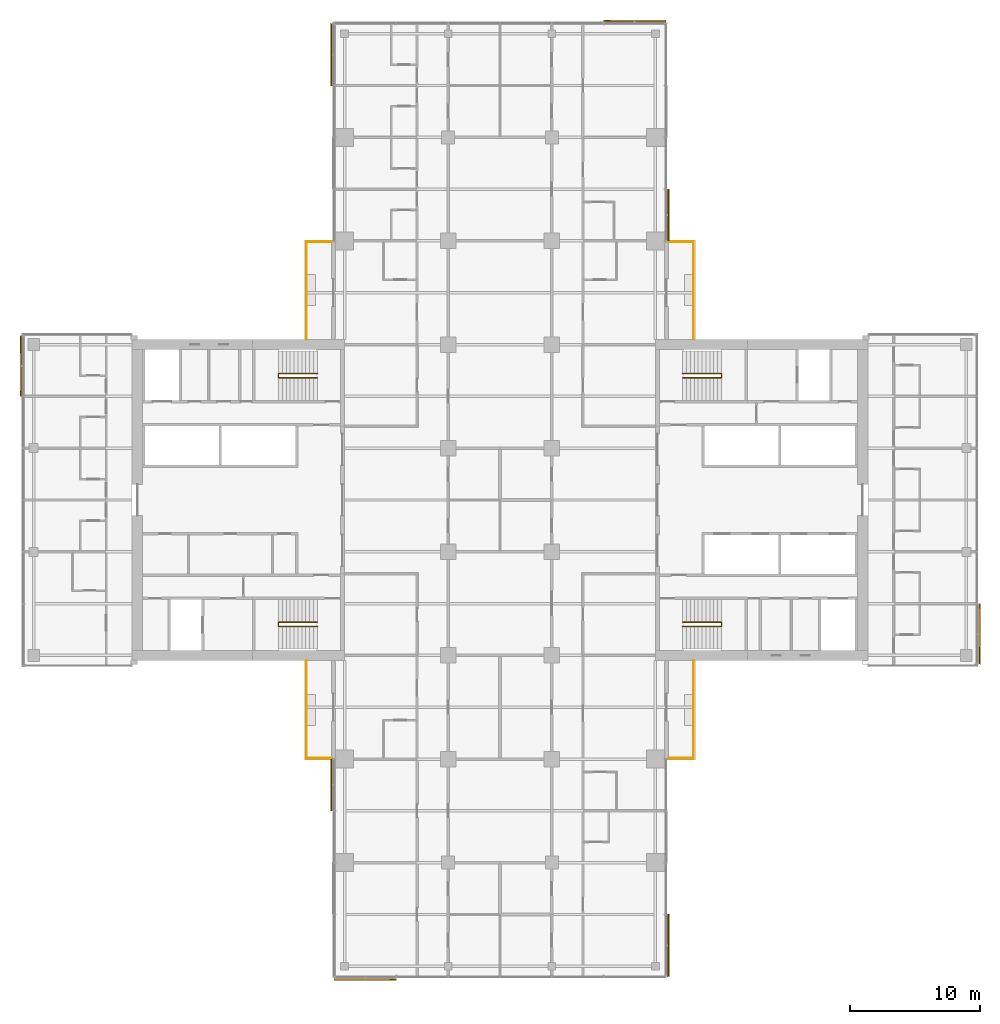
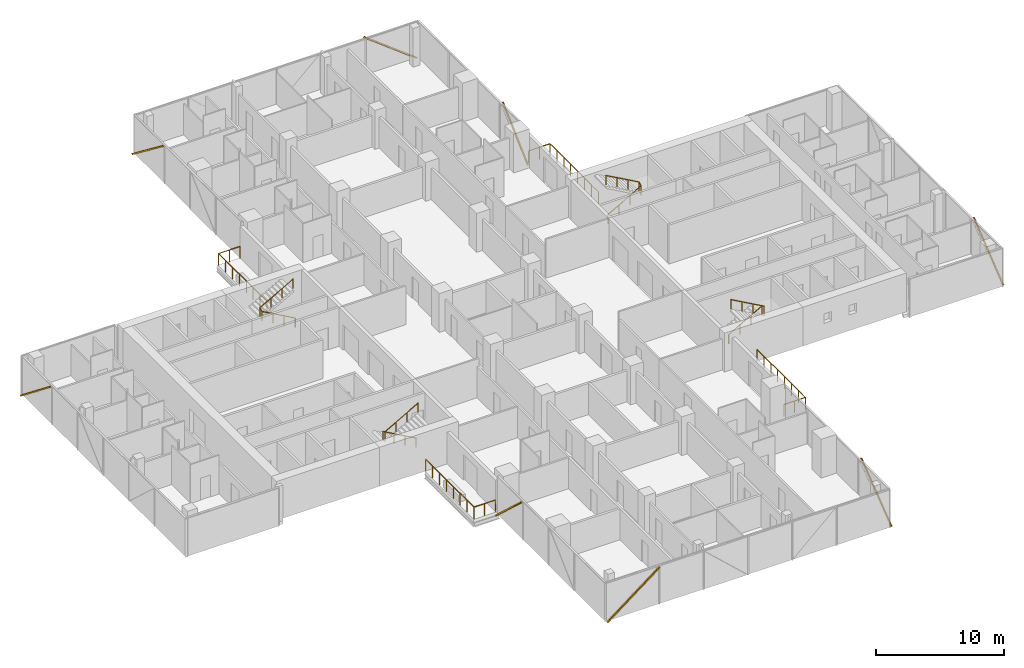
# One storey, part 27 of 27: 8 railings, 8 shading devices, 8 elements without a shape of their own.
"""IFC4 building model written with IfcOpenShell, lengths in metres."""

from ifc_helpers import new_model, si_unit, direction, frame, origin, origin_2d, place, context, subcontext, project, spatial, rectangle, circle, extrude, material, material_profile, profile_set, type_object, element, aggregate, save


model = new_model("IFC4")

# Units and contexts
model_context = context("Model", 3, precision=1e-05, world=origin(), true_north=direction((0.0, 1.0)))
body_context = subcontext(model_context, "Body", "Model", "MODEL_VIEW")
ifc_project = project(units=[si_unit("LENGTHUNIT", "METRE"), si_unit("AREAUNIT", "SQUARE_METRE"), si_unit("VOLUMEUNIT", "CUBIC_METRE"), si_unit("PLANEANGLEUNIT", "RADIAN"), si_unit("MASSUNIT", "GRAM", prefix="KILO")], contexts=[model_context])

# Site, building, storey
site_placement = place(None, origin())
site = spatial("IfcSite", under=ifc_project, at=site_placement, CompositionType="ELEMENT")
building_placement = place(site_placement, origin())
building = spatial("IfcBuilding", under=site, at=building_placement, Name="Crosswind Convention Tower", CompositionType="ELEMENT")
storey_placement = place(building_placement, frame((0.0, 0.0, 94.199951171875)))
storey = spatial("IfcBuildingStorey", under=building, at=storey_placement, Name="L18", CompositionType="ELEMENT", Elevation=94.199951171875)

# Railings
ifc_material_1 = material(Name="Steel and laminated glass balustrade", Category="steel")
railing_type_1 = type_object("IfcRailingType", Name="BALCONY BALUSTRADE 1150", PredefinedType="BALUSTRADE", material=ifc_material_1)
railing_1_placement = place(storey_placement, frame((139.93994140625, 112.39990234375, 0.0)))
element("IfcRailing", 1, at=railing_1_placement, inside=storey, type_object=railing_type_1, Name="R11 balcony balustrade L18 N-E.1-1", PredefinedType="BALUSTRADE", context=body_context, shape_type="SweptSolid", body=[
    extrude(circle(Radius=0.02392578125, at=origin_2d()), frame((0.0, 0.0, 1.1259765625), z_axis=(0.0, 1.0, 0.0), x_axis=(-1.0, 0.0, 0.0)), (0.0, 0.0, 1.0), 7.5400390625),
    extrude(circle(Radius=0.02392578125, at=origin_2d()), frame((0.0, 7.5400390625, 1.1259765625), z_axis=(-1.0, 0.0, 0.0), x_axis=(0.0, -1.0, 0.0)), (0.0, 0.0, 1.0), 1.9189453125),
    extrude(circle(Radius=0.02099609375, at=origin_2d()), origin(), (0.0, 0.0, 1.0), 1.101806640625),
    extrude(circle(Radius=0.02099609375, at=origin_2d()), frame((0.0, 1.0771484375, 0.0)), (0.0, 0.0, 1.0), 1.101806640625),
    extrude(circle(Radius=0.02099609375, at=origin_2d()), frame((0.0, 2.154296875, 0.0)), (0.0, 0.0, 1.0), 1.101806640625),
    extrude(circle(Radius=0.02099609375, at=origin_2d()), frame((0.0, 3.2314453125, 0.0)), (0.0, 0.0, 1.0), 1.101806640625),
    extrude(circle(Radius=0.02099609375, at=origin_2d()), frame((0.0, 4.30859375, 0.0)), (0.0, 0.0, 1.0), 1.101806640625),
    extrude(circle(Radius=0.02099609375, at=origin_2d()), frame((0.0, 5.3857421875, 0.0)), (0.0, 0.0, 1.0), 1.101806640625),
    extrude(circle(Radius=0.02099609375, at=origin_2d()), frame((0.0, 6.462890625, 0.0)), (0.0, 0.0, 1.0), 1.101806640625),
    extrude(circle(Radius=0.02099609375, at=origin_2d()), frame((0.0, 7.5400390625, 0.0)), (0.0, 0.0, 1.0), 1.101806640625),
    extrude(circle(Radius=0.02099609375, at=origin_2d()), frame((-0.95947265625, 7.5400390625, 0.0)), (0.0, 0.0, 1.0), 1.101806640625),
    extrude(circle(Radius=0.02099609375, at=origin_2d()), frame((-1.9189453125, 7.5400390625, 0.0)), (0.0, 0.0, 1.0), 1.101806640625),
])
railing_2_placement = place(storey_placement, frame((110.06005859375, 112.39990234375, 0.0)))
element("IfcRailing", 2, at=railing_2_placement, inside=storey, type_object=railing_type_1, Name="R11 balcony balustrade L18 N-W.1-3", PredefinedType="BALUSTRADE", context=body_context, shape_type="SweptSolid", body=[
    extrude(circle(Radius=0.02392578125, at=origin_2d()), frame((0.0, 0.0, 1.1259765625), z_axis=(0.0, 1.0, 0.0), x_axis=(-1.0, 0.0, 0.0)), (0.0, 0.0, 1.0), 7.5400390625),
    extrude(circle(Radius=0.02392578125, at=origin_2d()), frame((0.0, 7.5400390625, 1.1259765625), z_axis=(1.0, 0.0, 0.0), x_axis=(0.0, 1.0, 0.0)), (0.0, 0.0, 1.0), 1.9189453125),
    extrude(circle(Radius=0.02099609375, at=origin_2d()), origin(), (0.0, 0.0, 1.0), 1.101806640625),
    extrude(circle(Radius=0.02099609375, at=origin_2d()), frame((0.0, 1.0771484375, 0.0)), (0.0, 0.0, 1.0), 1.101806640625),
    extrude(circle(Radius=0.02099609375, at=origin_2d()), frame((0.0, 2.154296875, 0.0)), (0.0, 0.0, 1.0), 1.101806640625),
    extrude(circle(Radius=0.02099609375, at=origin_2d()), frame((0.0, 3.2314453125, 0.0)), (0.0, 0.0, 1.0), 1.101806640625),
    extrude(circle(Radius=0.02099609375, at=origin_2d()), frame((0.0, 4.30859375, 0.0)), (0.0, 0.0, 1.0), 1.101806640625),
    extrude(circle(Radius=0.02099609375, at=origin_2d()), frame((0.0, 5.3857421875, 0.0)), (0.0, 0.0, 1.0), 1.101806640625),
    extrude(circle(Radius=0.02099609375, at=origin_2d()), frame((0.0, 6.462890625, 0.0)), (0.0, 0.0, 1.0), 1.101806640625),
    extrude(circle(Radius=0.02099609375, at=origin_2d()), frame((0.0, 7.5400390625, 0.0)), (0.0, 0.0, 1.0), 1.101806640625),
    extrude(circle(Radius=0.02099609375, at=origin_2d()), frame((0.95947265625, 7.5400390625, 0.0)), (0.0, 0.0, 1.0), 1.101806640625),
    extrude(circle(Radius=0.02099609375, at=origin_2d()), frame((1.9189453125, 7.5400390625, 0.0)), (0.0, 0.0, 1.0), 1.101806640625),
])
railing_3_placement = place(storey_placement, frame((110.06005859375, 87.60009765625, 0.0)))
element("IfcRailing", 3, at=railing_3_placement, inside=storey, type_object=railing_type_1, Name="R11 balcony balustrade L18 S-W.1-1", PredefinedType="BALUSTRADE", context=body_context, shape_type="SweptSolid", body=[
    extrude(circle(Radius=0.02392578125, at=origin_2d()), frame((0.0, 0.0, 1.1259765625), z_axis=(0.0, -1.0, 0.0), x_axis=(1.0, 0.0, 0.0)), (0.0, 0.0, 1.0), 7.5400390625),
    extrude(circle(Radius=0.02392578125, at=origin_2d()), frame((0.0, -7.5400390625, 1.1259765625), z_axis=(1.0, 0.0, 0.0), x_axis=(0.0, 1.0, 0.0)), (0.0, 0.0, 1.0), 1.9189453125),
    extrude(circle(Radius=0.02099609375, at=origin_2d()), origin(), (0.0, 0.0, 1.0), 1.101806640625),
    extrude(circle(Radius=0.02099609375, at=origin_2d()), frame((0.0, -1.0771484375, 0.0)), (0.0, 0.0, 1.0), 1.101806640625),
    extrude(circle(Radius=0.02099609375, at=origin_2d()), frame((0.0, -2.154296875, 0.0)), (0.0, 0.0, 1.0), 1.101806640625),
    extrude(circle(Radius=0.02099609375, at=origin_2d()), frame((0.0, -3.2314453125, 0.0)), (0.0, 0.0, 1.0), 1.101806640625),
    extrude(circle(Radius=0.02099609375, at=origin_2d()), frame((0.0, -4.30859375, 0.0)), (0.0, 0.0, 1.0), 1.101806640625),
    extrude(circle(Radius=0.02099609375, at=origin_2d()), frame((0.0, -5.3857421875, 0.0)), (0.0, 0.0, 1.0), 1.101806640625),
    extrude(circle(Radius=0.02099609375, at=origin_2d()), frame((0.0, -6.462890625, 0.0)), (0.0, 0.0, 1.0), 1.101806640625),
    extrude(circle(Radius=0.02099609375, at=origin_2d()), frame((0.0, -7.5400390625, 0.0)), (0.0, 0.0, 1.0), 1.101806640625),
    extrude(circle(Radius=0.02099609375, at=origin_2d()), frame((0.95947265625, -7.5400390625, 0.0)), (0.0, 0.0, 1.0), 1.101806640625),
    extrude(circle(Radius=0.02099609375, at=origin_2d()), frame((1.9189453125, -7.5400390625, 0.0)), (0.0, 0.0, 1.0), 1.101806640625),
])
railing_4_placement = place(storey_placement, frame((139.93994140625, 87.60009765625, 0.0)))
element("IfcRailing", 4, at=railing_4_placement, inside=storey, type_object=railing_type_1, Name="R11 balcony balustrade L18 S-E.1-3", PredefinedType="BALUSTRADE", context=body_context, shape_type="SweptSolid", body=[
    extrude(circle(Radius=0.02392578125, at=origin_2d()), frame((0.0, 0.0, 1.1259765625), z_axis=(0.0, -1.0, 0.0), x_axis=(1.0, 0.0, 0.0)), (0.0, 0.0, 1.0), 7.5400390625),
    extrude(circle(Radius=0.02392578125, at=origin_2d()), frame((0.0, -7.5400390625, 1.1259765625), z_axis=(-1.0, 0.0, 0.0), x_axis=(0.0, -1.0, 0.0)), (0.0, 0.0, 1.0), 1.9189453125),
    extrude(circle(Radius=0.02099609375, at=origin_2d()), origin(), (0.0, 0.0, 1.0), 1.101806640625),
    extrude(circle(Radius=0.02099609375, at=origin_2d()), frame((0.0, -1.0771484375, 0.0)), (0.0, 0.0, 1.0), 1.101806640625),
    extrude(circle(Radius=0.02099609375, at=origin_2d()), frame((0.0, -2.154296875, 0.0)), (0.0, 0.0, 1.0), 1.101806640625),
    extrude(circle(Radius=0.02099609375, at=origin_2d()), frame((0.0, -3.2314453125, 0.0)), (0.0, 0.0, 1.0), 1.101806640625),
    extrude(circle(Radius=0.02099609375, at=origin_2d()), frame((0.0, -4.30859375, 0.0)), (0.0, 0.0, 1.0), 1.101806640625),
    extrude(circle(Radius=0.02099609375, at=origin_2d()), frame((0.0, -5.3857421875, 0.0)), (0.0, 0.0, 1.0), 1.101806640625),
    extrude(circle(Radius=0.02099609375, at=origin_2d()), frame((0.0, -6.462890625, 0.0)), (0.0, 0.0, 1.0), 1.101806640625),
    extrude(circle(Radius=0.02099609375, at=origin_2d()), frame((0.0, -7.5400390625, 0.0)), (0.0, 0.0, 1.0), 1.101806640625),
    extrude(circle(Radius=0.02099609375, at=origin_2d()), frame((-0.95947265625, -7.5400390625, 0.0)), (0.0, 0.0, 1.0), 1.101806640625),
    extrude(circle(Radius=0.02099609375, at=origin_2d()), frame((-1.9189453125, -7.5400390625, 0.0)), (0.0, 0.0, 1.0), 1.101806640625),
])
ifc_material_2 = material(Name="Stainless steel", Category="steel")
railing_type_2 = type_object("IfcRailingType", Name="Stair handrail 900", PredefinedType="HANDRAIL", material=ifc_material_2)
railing_5_placement = place(storey_placement, frame((139.10009765625, 109.43994140625, 0.168212890625)))
element("IfcRailing", 5, at=railing_5_placement, inside=storey, type_object=railing_type_2, Name="Stair ST1 handrail L18", PredefinedType="HANDRAIL", context=body_context, shape_type="SweptSolid", body=[
    extrude(circle(Radius=0.02392578125, at=origin_2d()), frame((0.0, 0.0, 0.8759765625), z_axis=(0.872272294576, 0.0, 0.489020494575), x_axis=(0.0, 1.0, 0.0)), (0.0, 0.0, 1.0), 3.439208984375),
    extrude(circle(Radius=0.02392578125, at=origin_2d()), frame((3.0, 0.0, 2.5576171875), z_axis=(0.0, 0.885196349292, 0.465217608438), x_axis=(-1.0, 0.0, 0.0)), (0.0, 0.0, 1.0), 0.361572265625),
    extrude(circle(Radius=0.02392578125, at=origin_2d()), frame((3.0, 0.320068359375, 2.72607421875), z_axis=(-0.872302573547, 0.0, 0.488966481656), x_axis=(0.0, -1.0, 0.0)), (0.0, 0.0, 1.0), 3.439208984375),
    extrude(circle(Radius=0.02099609375, at=origin_2d()), origin(), (0.0, 0.0, 1.0), 0.851806640625),
    extrude(circle(Radius=0.02099609375, at=origin_2d()), frame((1.0, 0.0, 0.560546875)), (0.0, 0.0, 1.0), 0.851806640625),
    extrude(circle(Radius=0.02099609375, at=origin_2d()), frame((2.0, 0.0, 1.121337890625)), (0.0, 0.0, 1.0), 0.851806640625),
    extrude(circle(Radius=0.02099609375, at=origin_2d()), frame((3.0, 0.0, 1.681884765625)), (0.0, 0.0, 1.0), 0.851806640625),
    extrude(circle(Radius=0.02099609375, at=origin_2d()), frame((3.0, 0.320068359375, 1.85009765625)), (0.0, 0.0, 1.0), 0.851806640625),
    extrude(circle(Radius=0.02099609375, at=origin_2d()), frame((2.0, 0.320068359375, 2.41064453125)), (0.0, 0.0, 1.0), 0.851806640625),
    extrude(circle(Radius=0.02099609375, at=origin_2d()), frame((1.0, 0.320068359375, 2.97119140625)), (0.0, 0.0, 1.0), 0.851806640625),
    extrude(circle(Radius=0.02099609375, at=origin_2d()), frame((0.0, 0.320068359375, 3.53173828125)), (0.0, 0.0, 1.0), 0.851806640625),
])
railing_6_placement = place(storey_placement, frame((139.10009765625, 90.56005859375, 0.168212890625)))
element("IfcRailing", 6, at=railing_6_placement, inside=storey, type_object=railing_type_2, Name="Stair ST2 handrail L18", PredefinedType="HANDRAIL", context=body_context, shape_type="SweptSolid", body=[
    extrude(circle(Radius=0.02392578125, at=origin_2d()), frame((0.0, 0.0, 0.8759765625), z_axis=(0.872272294576, 0.0, 0.489020494575), x_axis=(0.0, 1.0, 0.0)), (0.0, 0.0, 1.0), 3.439208984375),
    extrude(circle(Radius=0.02392578125, at=origin_2d()), frame((3.0, 0.0, 2.5576171875), z_axis=(0.0, -0.885196349292, 0.465217608438), x_axis=(1.0, 0.0, 0.0)), (0.0, 0.0, 1.0), 0.361572265625),
    extrude(circle(Radius=0.02392578125, at=origin_2d()), frame((3.0, -0.320068359375, 2.72607421875), z_axis=(-0.872302573547, 0.0, 0.488966481656), x_axis=(0.0, -1.0, 0.0)), (0.0, 0.0, 1.0), 3.439208984375),
    extrude(circle(Radius=0.02099609375, at=origin_2d()), origin(), (0.0, 0.0, 1.0), 0.851806640625),
    extrude(circle(Radius=0.02099609375, at=origin_2d()), frame((1.0, 0.0, 0.560546875)), (0.0, 0.0, 1.0), 0.851806640625),
    extrude(circle(Radius=0.02099609375, at=origin_2d()), frame((2.0, 0.0, 1.121337890625)), (0.0, 0.0, 1.0), 0.851806640625),
    extrude(circle(Radius=0.02099609375, at=origin_2d()), frame((3.0, 0.0, 1.681884765625)), (0.0, 0.0, 1.0), 0.851806640625),
    extrude(circle(Radius=0.02099609375, at=origin_2d()), frame((3.0, -0.320068359375, 1.85009765625)), (0.0, 0.0, 1.0), 0.851806640625),
    extrude(circle(Radius=0.02099609375, at=origin_2d()), frame((2.0, -0.320068359375, 2.41064453125)), (0.0, 0.0, 1.0), 0.851806640625),
    extrude(circle(Radius=0.02099609375, at=origin_2d()), frame((1.0, -0.320068359375, 2.97119140625)), (0.0, 0.0, 1.0), 0.851806640625),
    extrude(circle(Radius=0.02099609375, at=origin_2d()), frame((0.0, -0.320068359375, 3.53173828125)), (0.0, 0.0, 1.0), 0.851806640625),
])
railing_7_placement = place(storey_placement, frame((110.89990234375, 90.56005859375, 0.168212890625)))
element("IfcRailing", 7, at=railing_7_placement, inside=storey, type_object=railing_type_2, Name="Stair ST3 handrail L18", PredefinedType="HANDRAIL", context=body_context, shape_type="SweptSolid", body=[
    extrude(circle(Radius=0.02392578125, at=origin_2d()), frame((0.0, 0.0, 0.8759765625), z_axis=(-0.872272294576, 0.0, 0.489020494575), x_axis=(0.0, -1.0, 0.0)), (0.0, 0.0, 1.0), 3.439208984375),
    extrude(circle(Radius=0.02392578125, at=origin_2d()), frame((-3.0, 0.0, 2.5576171875), z_axis=(0.0, -0.885196349292, 0.465217608438), x_axis=(1.0, 0.0, 0.0)), (0.0, 0.0, 1.0), 0.361572265625),
    extrude(circle(Radius=0.02392578125, at=origin_2d()), frame((-3.0, -0.320068359375, 2.72607421875), z_axis=(0.872302573547, 0.0, 0.488966481656), x_axis=(0.0, 1.0, 0.0)), (0.0, 0.0, 1.0), 3.439208984375),
    extrude(circle(Radius=0.02099609375, at=origin_2d()), origin(), (0.0, 0.0, 1.0), 0.851806640625),
    extrude(circle(Radius=0.02099609375, at=origin_2d()), frame((-1.0, 0.0, 0.560546875)), (0.0, 0.0, 1.0), 0.851806640625),
    extrude(circle(Radius=0.02099609375, at=origin_2d()), frame((-2.0, 0.0, 1.121337890625)), (0.0, 0.0, 1.0), 0.851806640625),
    extrude(circle(Radius=0.02099609375, at=origin_2d()), frame((-3.0, 0.0, 1.681884765625)), (0.0, 0.0, 1.0), 0.851806640625),
    extrude(circle(Radius=0.02099609375, at=origin_2d()), frame((-3.0, -0.320068359375, 1.85009765625)), (0.0, 0.0, 1.0), 0.851806640625),
    extrude(circle(Radius=0.02099609375, at=origin_2d()), frame((-2.0, -0.320068359375, 2.41064453125)), (0.0, 0.0, 1.0), 0.851806640625),
    extrude(circle(Radius=0.02099609375, at=origin_2d()), frame((-1.0, -0.320068359375, 2.97119140625)), (0.0, 0.0, 1.0), 0.851806640625),
    extrude(circle(Radius=0.02099609375, at=origin_2d()), frame((0.0, -0.320068359375, 3.53173828125)), (0.0, 0.0, 1.0), 0.851806640625),
])
railing_8_placement = place(storey_placement, frame((110.89990234375, 109.43994140625, 0.168212890625)))
element("IfcRailing", 8, at=railing_8_placement, inside=storey, type_object=railing_type_2, Name="Stair ST4 handrail L18", PredefinedType="HANDRAIL", context=body_context, shape_type="SweptSolid", body=[
    extrude(circle(Radius=0.02392578125, at=origin_2d()), frame((0.0, 0.0, 0.8759765625), z_axis=(-0.872272294576, 0.0, 0.489020494575), x_axis=(0.0, -1.0, 0.0)), (0.0, 0.0, 1.0), 3.439208984375),
    extrude(circle(Radius=0.02392578125, at=origin_2d()), frame((-3.0, 0.0, 2.5576171875), z_axis=(0.0, 0.885196349292, 0.465217608438), x_axis=(-1.0, 0.0, 0.0)), (0.0, 0.0, 1.0), 0.361572265625),
    extrude(circle(Radius=0.02392578125, at=origin_2d()), frame((-3.0, 0.320068359375, 2.72607421875), z_axis=(0.872302573547, 0.0, 0.488966481656), x_axis=(0.0, 1.0, 0.0)), (0.0, 0.0, 1.0), 3.439208984375),
    extrude(circle(Radius=0.02099609375, at=origin_2d()), origin(), (0.0, 0.0, 1.0), 0.851806640625),
    extrude(circle(Radius=0.02099609375, at=origin_2d()), frame((-1.0, 0.0, 0.560546875)), (0.0, 0.0, 1.0), 0.851806640625),
    extrude(circle(Radius=0.02099609375, at=origin_2d()), frame((-2.0, 0.0, 1.121337890625)), (0.0, 0.0, 1.0), 0.851806640625),
    extrude(circle(Radius=0.02099609375, at=origin_2d()), frame((-3.0, 0.0, 1.681884765625)), (0.0, 0.0, 1.0), 0.851806640625),
    extrude(circle(Radius=0.02099609375, at=origin_2d()), frame((-3.0, 0.320068359375, 1.85009765625)), (0.0, 0.0, 1.0), 0.851806640625),
    extrude(circle(Radius=0.02099609375, at=origin_2d()), frame((-2.0, 0.320068359375, 2.41064453125)), (0.0, 0.0, 1.0), 0.851806640625),
    extrude(circle(Radius=0.02099609375, at=origin_2d()), frame((-1.0, 0.320068359375, 2.97119140625)), (0.0, 0.0, 1.0), 0.851806640625),
    extrude(circle(Radius=0.02099609375, at=origin_2d()), frame((0.0, 0.320068359375, 3.53173828125)), (0.0, 0.0, 1.0), 0.851806640625),
])

# Curtain wall, shading device
ifc_material_3 = material(Name="Aluminium unitised curtain wall", Category="aluminium")
curtain_wall_type = type_object("IfcCurtainWallType", Name="HOTEL UNITISED WALL 200", PredefinedType="USERDEFINED", material=ifc_material_3)
curtain_wall_1_placement = place(storey_placement, origin())
curtain_wall_1 = element("IfcCurtainWall", 9, at=curtain_wall_1_placement, inside=storey, type_object=curtain_wall_type, Name="CW2 L18 E-TIP 1", ObjectType="UNITISED", PredefinedType="USERDEFINED")
ifc_material_4 = material(Name="Extruded terracotta", Category="masonry")
ifc_material_profile = material_profile(ifc_material_4, rectangle(XDim=0.10009765625, YDim=0.1201171875, at=origin_2d()), Name="TC 100X120")
ifc_profile_set = profile_set([ifc_material_profile], Name="Extruded terracotta")
shading_device_type = type_object("IfcShadingDeviceType", Name="TERRACOTTA BAGUETTE 120X100", PredefinedType="USERDEFINED", material=ifc_profile_set)
shading_device_1_placement = place(storey_placement, frame((162.008056640625, 87.364990234375, -0.280029296875), z_axis=(0.0, 0.784764474718, 0.619794094212), x_axis=(-1.0, 0.0, 0.0)))
shading_device_1 = element("IfcShadingDevice", 10, at=shading_device_1_placement, type_object=shading_device_type, Name="CW2 terracotta baguette 1", ObjectType="BAGUETTE", PredefinedType="USERDEFINED", context=body_context, shape_type="SweptSolid", body=[
    extrude(rectangle(XDim=0.10009765625, YDim=0.1201171875, at=origin_2d()), origin(), (0.0, 0.0, 1.0), 5.86474609375),
])
aggregate(curtain_wall_1, [shading_device_1])

curtain_wall_2_placement = place(storey_placement, origin())
curtain_wall_2 = element("IfcCurtainWall", 11, at=curtain_wall_2_placement, inside=storey, type_object=curtain_wall_type, Name="CW2 L18 N-E 1", ObjectType="UNITISED", PredefinedType="USERDEFINED")
shading_device_2_placement = place(storey_placement, frame((138.008056640625, 120.032470703125, -0.280029296875), z_axis=(0.0, 0.734557036047, 0.678546948114), x_axis=(-1.0, 0.0, 0.0)))
shading_device_2 = element("IfcShadingDevice", 12, at=shading_device_2_placement, type_object=shading_device_type, Name="CW2 terracotta baguette 1", ObjectType="BAGUETTE", PredefinedType="USERDEFINED", context=body_context, shape_type="SweptSolid", body=[
    extrude(rectangle(XDim=0.10009765625, YDim=0.1201171875, at=origin_2d()), origin(), (0.0, 0.0, 1.0), 5.35693359375),
])
aggregate(curtain_wall_2, [shading_device_2])

curtain_wall_3_placement = place(storey_placement, origin())
curtain_wall_3 = element("IfcCurtainWall", 13, at=curtain_wall_3_placement, inside=storey, type_object=curtain_wall_type, Name="CW2 L18 N-TIP 1", ObjectType="UNITISED", PredefinedType="USERDEFINED")
shading_device_3_placement = place(storey_placement, frame((137.767578125, 137.008056640625, -0.280029296875), z_axis=(-0.793221117913, 0.0, 0.608933705831), x_axis=(0.0, -1.0, 0.0)))
shading_device_3 = element("IfcShadingDevice", 14, at=shading_device_3_placement, type_object=shading_device_type, Name="CW2 terracotta baguette 1", ObjectType="BAGUETTE", PredefinedType="USERDEFINED", context=body_context, shape_type="SweptSolid", body=[
    extrude(rectangle(XDim=0.10009765625, YDim=0.1201171875, at=origin_2d()), origin(), (0.0, 0.0, 1.0), 5.969482421875),
])
aggregate(curtain_wall_3, [shading_device_3])

curtain_wall_4_placement = place(storey_placement, origin())
curtain_wall_4 = element("IfcCurtainWall", 15, at=curtain_wall_4_placement, inside=storey, type_object=curtain_wall_type, Name="CW2 L18 N-W 1", ObjectType="UNITISED", PredefinedType="USERDEFINED")
shading_device_4_placement = place(storey_placement, frame((111.991943359375, 136.767578125, -0.280029296875), z_axis=(0.0, -0.793221117913, 0.608933705831), x_axis=(1.0, 0.0, 0.0)))
shading_device_4 = element("IfcShadingDevice", 16, at=shading_device_4_placement, type_object=shading_device_type, Name="CW2 terracotta baguette 1", ObjectType="BAGUETTE", PredefinedType="USERDEFINED", context=body_context, shape_type="SweptSolid", body=[
    extrude(rectangle(XDim=0.10009765625, YDim=0.1201171875, at=origin_2d()), origin(), (0.0, 0.0, 1.0), 5.969482421875),
])
aggregate(curtain_wall_4, [shading_device_4])

curtain_wall_5_placement = place(storey_placement, origin())
curtain_wall_5 = element("IfcCurtainWall", 17, at=curtain_wall_5_placement, inside=storey, type_object=curtain_wall_type, Name="CW2 L18 W-TIP 1", ObjectType="UNITISED", PredefinedType="USERDEFINED")
shading_device_5_placement = place(storey_placement, frame((87.991943359375, 112.635009765625, -0.280029296875), z_axis=(0.0, -0.784764474718, 0.619794094212), x_axis=(1.0, 0.0, 0.0)))
shading_device_5 = element("IfcShadingDevice", 18, at=shading_device_5_placement, type_object=shading_device_type, Name="CW2 terracotta baguette 1", ObjectType="BAGUETTE", PredefinedType="USERDEFINED", context=body_context, shape_type="SweptSolid", body=[
    extrude(rectangle(XDim=0.10009765625, YDim=0.1201171875, at=origin_2d()), origin(), (0.0, 0.0, 1.0), 5.86474609375),
])
aggregate(curtain_wall_5, [shading_device_5])

curtain_wall_6_placement = place(storey_placement, origin())
curtain_wall_6 = element("IfcCurtainWall", 19, at=curtain_wall_6_placement, inside=storey, type_object=curtain_wall_type, Name="CW2 L18 S-W 1", ObjectType="UNITISED", PredefinedType="USERDEFINED")
shading_device_6_placement = place(storey_placement, frame((111.991943359375, 79.967529296875, -0.280029296875), z_axis=(0.0, -0.734557036047, 0.678546948114), x_axis=(1.0, 0.0, 0.0)))
shading_device_6 = element("IfcShadingDevice", 20, at=shading_device_6_placement, type_object=shading_device_type, Name="CW2 terracotta baguette 1", ObjectType="BAGUETTE", PredefinedType="USERDEFINED", context=body_context, shape_type="SweptSolid", body=[
    extrude(rectangle(XDim=0.10009765625, YDim=0.1201171875, at=origin_2d()), origin(), (0.0, 0.0, 1.0), 5.35693359375),
])
aggregate(curtain_wall_6, [shading_device_6])

curtain_wall_7_placement = place(storey_placement, origin())
curtain_wall_7 = element("IfcCurtainWall", 21, at=curtain_wall_7_placement, inside=storey, type_object=curtain_wall_type, Name="CW2 L18 S-TIP 1", ObjectType="UNITISED", PredefinedType="USERDEFINED")
shading_device_7_placement = place(storey_placement, frame((112.232421875, 62.991943359375, -0.280029296875), z_axis=(0.793221117913, 0.0, 0.608933705831), x_axis=(0.0, 1.0, 0.0)))
shading_device_7 = element("IfcShadingDevice", 22, at=shading_device_7_placement, type_object=shading_device_type, Name="CW2 terracotta baguette 1", ObjectType="BAGUETTE", PredefinedType="USERDEFINED", context=body_context, shape_type="SweptSolid", body=[
    extrude(rectangle(XDim=0.10009765625, YDim=0.1201171875, at=origin_2d()), origin(), (0.0, 0.0, 1.0), 5.969482421875),
])
aggregate(curtain_wall_7, [shading_device_7])

curtain_wall_8_placement = place(storey_placement, origin())
curtain_wall_8 = element("IfcCurtainWall", 23, at=curtain_wall_8_placement, inside=storey, type_object=curtain_wall_type, Name="CW2 L18 S-E 1", ObjectType="UNITISED", PredefinedType="USERDEFINED")
shading_device_8_placement = place(storey_placement, frame((138.008056640625, 63.232421875, -0.280029296875), z_axis=(0.0, 0.793221117913, 0.608933705831), x_axis=(-1.0, 0.0, 0.0)))
shading_device_8 = element("IfcShadingDevice", 24, at=shading_device_8_placement, type_object=shading_device_type, Name="CW2 terracotta baguette 1", ObjectType="BAGUETTE", PredefinedType="USERDEFINED", context=body_context, shape_type="SweptSolid", body=[
    extrude(rectangle(XDim=0.10009765625, YDim=0.1201171875, at=origin_2d()), origin(), (0.0, 0.0, 1.0), 5.969482421875),
])
aggregate(curtain_wall_8, [shading_device_8])

save(model, "model.ifc")
